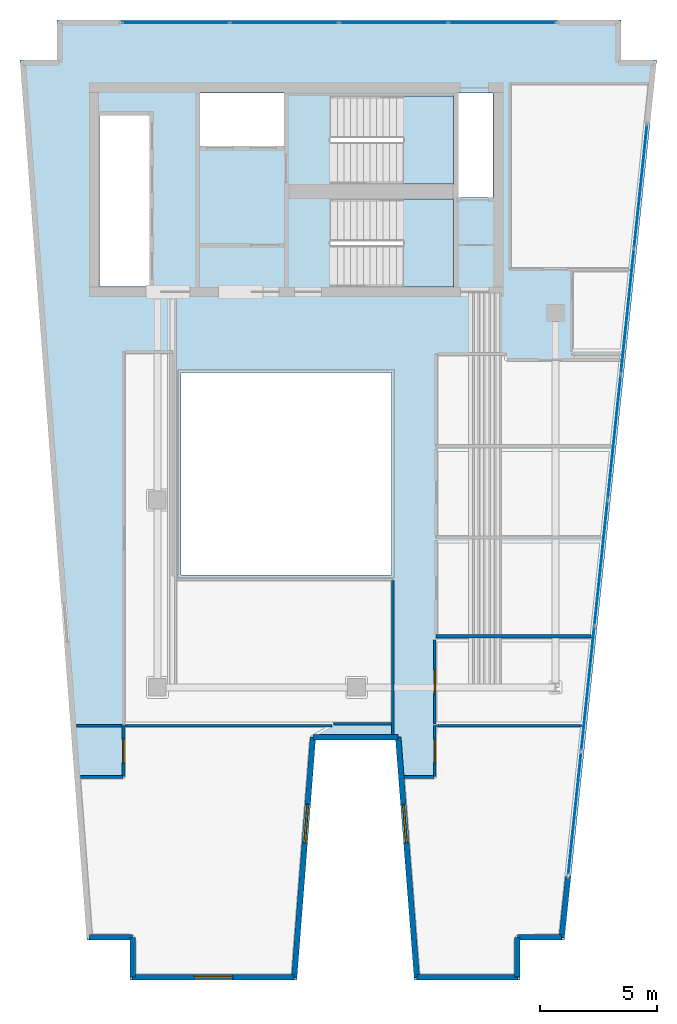
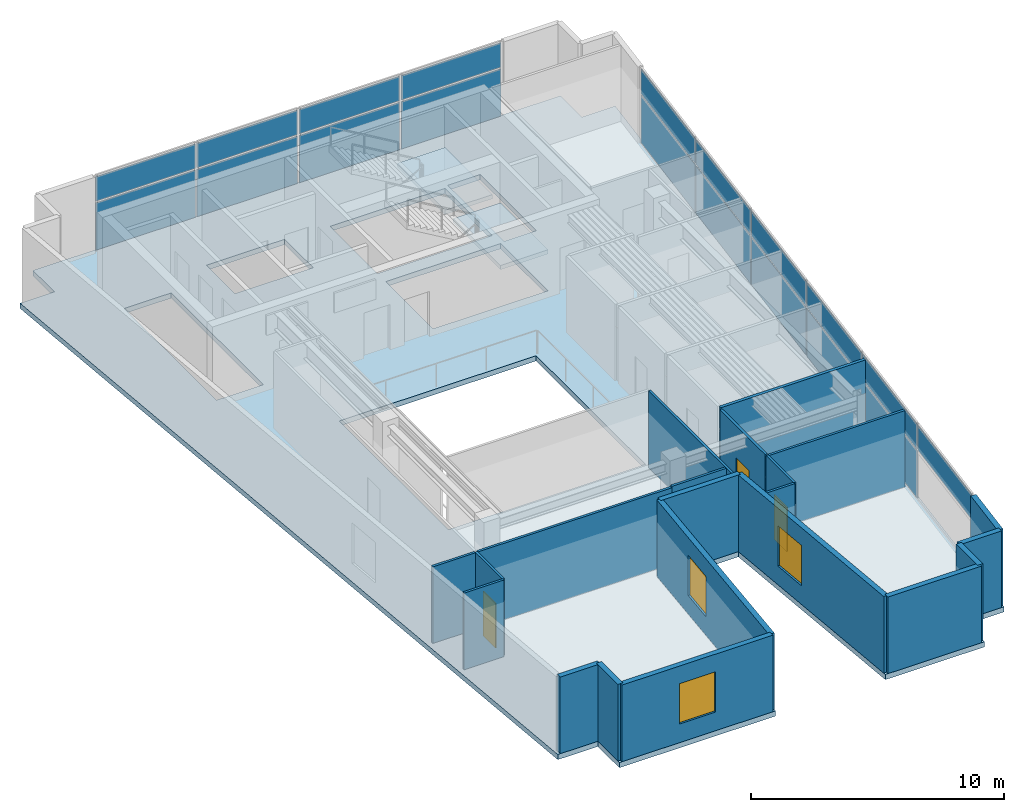
# One storey, part 2 of 6: 21 walls, 19 plates, 3 doors, 3 slabs, 3 windows, 6 openings, 4 elements without a shape of their own.
"""IFC4 building model written with IfcOpenShell, lengths in metres."""

from ifc_helpers import new_model, si_unit, direction, frame, frame_2d, origin, origin_2d, place, context, subcontext, project, spatial, polyline, rectangle, outline, extrude, material, layer, layer_set, type_object, element, fill, aggregate, save


model = new_model("IFC4")

# Units and contexts
model_context = context("Model", 3, precision=1e-05, world=origin(), true_north=direction((0.0, 1.0)))
body_context = subcontext(model_context, "Body", "Model", "MODEL_VIEW")
ifc_project = project(units=[si_unit("LENGTHUNIT", "METRE"), si_unit("AREAUNIT", "SQUARE_METRE"), si_unit("VOLUMEUNIT", "CUBIC_METRE"), si_unit("PLANEANGLEUNIT", "RADIAN"), si_unit("MASSUNIT", "GRAM", prefix="KILO")], contexts=[model_context])

# Site, building, storey
site_placement = place(None, origin())
site = spatial("IfcSite", under=ifc_project, at=site_placement, CompositionType="ELEMENT")
building_placement = place(site_placement, origin())
building = spatial("IfcBuilding", under=site, at=building_placement, Name="Caeloran Harvest Quay", CompositionType="ELEMENT")
storey_placement = place(building_placement, frame((0.0, 0.0, 284.35009765625)))
storey = spatial("IfcBuildingStorey", under=building, at=storey_placement, Name="L68", CompositionType="ELEMENT", Elevation=284.35009765625)

# Curtain wall, plates
ifc_material_1 = material(Name="Aluminium 6063-T6 and Low-E Glazing", Category="aluminium")
ifc_layer_1 = layer(ifc_material_1, 0.219970703125, Name="Aluminium 6063-T6 and Low-E Glazing")
ifc_layer_set_1 = layer_set([ifc_layer_1], Name="Aluminium 6063-T6 and Low-E Glazing")
curtain_wall_type = type_object("IfcCurtainWallType", Name="CW-SYS-CW-5", PredefinedType="USERDEFINED", material=ifc_layer_set_1)
curtain_wall_1_placement = place(storey_placement, origin())
curtain_wall_1 = element("IfcCurtainWall", 1, at=curtain_wall_1_placement, inside=storey, type_object=curtain_wall_type, Name="L68 Unitised Curtain Wall CW-5 Run 6", ObjectType="CURTAIN_WALL", PredefinedType="USERDEFINED")
ifc_material_2 = material(Name="Low-E Double Glazed Vision Glass Unit", Category="glass")
ifc_layer_2 = layer(ifc_material_2, 0.035888671875, Name="Low-E Double Glazed Vision Glass Unit")
ifc_layer_set_2 = layer_set([ifc_layer_2], Name="Low-E Double Glazed Vision Glass Unit")
plate_type = type_object("IfcPlateType", Name="CW-VISION-PANEL", PredefinedType="CURTAIN_PANEL", material=ifc_layer_set_2)
plate_1_placement = place(storey_placement, frame((9.2724609375, 43.3798828125, 0.080078125), z_axis=(0.0, 0.0, 1.0), x_axis=(1.0, 0.0, 0.0)))
plate_1 = element("IfcPlate", 2, at=plate_1_placement, type_object=plate_type, Name="CW-5 panel 1.1", PredefinedType="CURTAIN_PANEL", context=body_context, shape_type="SweptSolid", body=[
    extrude(rectangle(XDim=4.544921875, YDim=0.035888671875, at=origin_2d()), origin(), (0.0, 0.0, 1.0), 2.280029296875),
])
plate_2_placement = place(storey_placement, frame((9.2724609375, 43.3798828125, 2.43994140625), z_axis=(0.0, 0.0, 1.0), x_axis=(1.0, 0.0, 0.0)))
plate_2 = element("IfcPlate", 3, at=plate_2_placement, type_object=plate_type, Name="CW-5 panel 1.2", PredefinedType="CURTAIN_PANEL", context=body_context, shape_type="SweptSolid", body=[
    extrude(rectangle(XDim=4.544921875, YDim=0.035888671875, at=origin_2d()), origin(), (0.0, 0.0, 1.0), 1.179931640625),
])
plate_3_placement = place(storey_placement, frame((13.91748046875, 43.3798828125, 0.080078125), z_axis=(0.0, 0.0, 1.0), x_axis=(1.0, 0.0, 0.0)))
plate_3 = element("IfcPlate", 4, at=plate_3_placement, type_object=plate_type, Name="CW-5 panel 2.1", PredefinedType="CURTAIN_PANEL", context=body_context, shape_type="SweptSolid", body=[
    extrude(rectangle(XDim=4.5849609375, YDim=0.035888671875, at=origin_2d()), origin(), (0.0, 0.0, 1.0), 2.280029296875),
])
plate_4_placement = place(storey_placement, frame((13.91748046875, 43.3798828125, 2.43994140625), z_axis=(0.0, 0.0, 1.0), x_axis=(1.0, 0.0, 0.0)))
plate_4 = element("IfcPlate", 5, at=plate_4_placement, type_object=plate_type, Name="CW-5 panel 2.2", PredefinedType="CURTAIN_PANEL", context=body_context, shape_type="SweptSolid", body=[
    extrude(rectangle(XDim=4.5849609375, YDim=0.035888671875, at=origin_2d()), origin(), (0.0, 0.0, 1.0), 1.179931640625),
])
plate_5_placement = place(storey_placement, frame((18.58251953125, 43.3798828125, 0.080078125), z_axis=(0.0, 0.0, 1.0), x_axis=(1.0, 0.0, 0.0)))
plate_5 = element("IfcPlate", 6, at=plate_5_placement, type_object=plate_type, Name="CW-5 panel 3.1", PredefinedType="CURTAIN_PANEL", context=body_context, shape_type="SweptSolid", body=[
    extrude(rectangle(XDim=4.5849609375, YDim=0.035888671875, at=origin_2d()), origin(), (0.0, 0.0, 1.0), 2.280029296875),
])
plate_6_placement = place(storey_placement, frame((18.58251953125, 43.3798828125, 2.43994140625), z_axis=(0.0, 0.0, 1.0), x_axis=(1.0, 0.0, 0.0)))
plate_6 = element("IfcPlate", 7, at=plate_6_placement, type_object=plate_type, Name="CW-5 panel 3.2", PredefinedType="CURTAIN_PANEL", context=body_context, shape_type="SweptSolid", body=[
    extrude(rectangle(XDim=4.5849609375, YDim=0.035888671875, at=origin_2d()), origin(), (0.0, 0.0, 1.0), 1.179931640625),
])
plate_7_placement = place(storey_placement, frame((23.2275390625, 43.3798828125, 0.080078125), z_axis=(0.0, 0.0, 1.0), x_axis=(1.0, 0.0, 0.0)))
plate_7 = element("IfcPlate", 8, at=plate_7_placement, type_object=plate_type, Name="CW-5 panel 4.1", PredefinedType="CURTAIN_PANEL", context=body_context, shape_type="SweptSolid", body=[
    extrude(rectangle(XDim=4.544921875, YDim=0.035888671875, at=origin_2d()), origin(), (0.0, 0.0, 1.0), 2.280029296875),
])
plate_8_placement = place(storey_placement, frame((23.2275390625, 43.3798828125, 2.43994140625), z_axis=(0.0, 0.0, 1.0), x_axis=(1.0, 0.0, 0.0)))
plate_8 = element("IfcPlate", 9, at=plate_8_placement, type_object=plate_type, Name="CW-5 panel 4.2", PredefinedType="CURTAIN_PANEL", context=body_context, shape_type="SweptSolid", body=[
    extrude(rectangle(XDim=4.544921875, YDim=0.035888671875, at=origin_2d()), origin(), (0.0, 0.0, 1.0), 1.179931640625),
])
aggregate(curtain_wall_1, [plate_1, plate_2, plate_3, plate_4, plate_5, plate_6, plate_7, plate_8])

curtain_wall_2_placement = place(storey_placement, origin())
curtain_wall_2 = element("IfcCurtainWall", 10, at=curtain_wall_2_placement, inside=storey, type_object=curtain_wall_type, Name="L68 Unitised Curtain Wall CW-5 Run 9", ObjectType="CURTAIN_WALL", PredefinedType="USERDEFINED")
plate_9_placement = place(storey_placement, frame((29.132568359375, 36.391845703125, 0.080078125), z_axis=(0.0, 0.0, 1.0), x_axis=(-0.104460096251, -0.994529078655, 0.0)))
plate_9 = element("IfcPlate", 11, at=plate_9_placement, type_object=plate_type, Name="CW-5 panel 1.1", PredefinedType="CURTAIN_PANEL", context=body_context, shape_type="SweptSolid", body=[
    extrude(rectangle(XDim=5.274169921875, YDim=0.035888671875, at=origin_2d()), origin(), (0.0, 0.0, 1.0), 2.280029296875),
])
plate_10_placement = place(storey_placement, frame((29.132568359375, 36.391845703125, 2.43994140625), z_axis=(0.0, 0.0, 1.0), x_axis=(-0.104460096251, -0.994529078655, 0.0)))
plate_10 = element("IfcPlate", 12, at=plate_10_placement, type_object=plate_type, Name="CW-5 panel 1.2", PredefinedType="CURTAIN_PANEL", context=body_context, shape_type="SweptSolid", body=[
    extrude(rectangle(XDim=5.274169921875, YDim=0.035888671875, at=origin_2d()), origin(), (0.0, 0.0, 1.0), 1.179931640625),
])
plate_11_placement = place(storey_placement, frame((28.5712890625, 31.047119140625, 0.080078125), z_axis=(0.0, 0.0, 1.0), x_axis=(-0.104460096251, -0.994529078655, 0.0)))
plate_11 = element("IfcPlate", 13, at=plate_11_placement, type_object=plate_type, Name="CW-5 panel 2.1", PredefinedType="CURTAIN_PANEL", context=body_context, shape_type="SweptSolid", body=[
    extrude(rectangle(XDim=5.314208984375, YDim=0.035888671875, at=origin_2d()), origin(), (0.0, 0.0, 1.0), 2.280029296875),
])
plate_12_placement = place(storey_placement, frame((28.5712890625, 31.047119140625, 2.43994140625), z_axis=(0.0, 0.0, 1.0), x_axis=(-0.104460096251, -0.994529078655, 0.0)))
plate_12 = element("IfcPlate", 14, at=plate_12_placement, type_object=plate_type, Name="CW-5 panel 2.2", PredefinedType="CURTAIN_PANEL", context=body_context, shape_type="SweptSolid", body=[
    extrude(rectangle(XDim=5.314208984375, YDim=0.035888671875, at=origin_2d()), origin(), (0.0, 0.0, 1.0), 1.179931640625),
])
plate_13_placement = place(storey_placement, frame((28.0078125, 25.682373046875, 0.080078125), z_axis=(0.0, 0.0, 1.0), x_axis=(-0.104460096251, -0.994529078655, 0.0)))
plate_13 = element("IfcPlate", 15, at=plate_13_placement, type_object=plate_type, Name="CW-5 panel 3.1", PredefinedType="CURTAIN_PANEL", context=body_context, shape_type="SweptSolid", body=[
    extrude(rectangle(XDim=5.314208984375, YDim=0.035888671875, at=origin_2d()), origin(), (0.0, 0.0, 1.0), 2.280029296875),
])
plate_14_placement = place(storey_placement, frame((28.0078125, 25.682373046875, 2.43994140625), z_axis=(0.0, 0.0, 1.0), x_axis=(-0.104460096251, -0.994529078655, 0.0)))
plate_14 = element("IfcPlate", 16, at=plate_14_placement, type_object=plate_type, Name="CW-5 panel 3.2", PredefinedType="CURTAIN_PANEL", context=body_context, shape_type="SweptSolid", body=[
    extrude(rectangle(XDim=5.314208984375, YDim=0.035888671875, at=origin_2d()), origin(), (0.0, 0.0, 1.0), 1.179931640625),
])
plate_15_placement = place(storey_placement, frame((27.4443359375, 20.317626953125, 0.080078125), z_axis=(0.0, 0.0, 1.0), x_axis=(-0.104460096251, -0.994529078655, 0.0)))
plate_15 = element("IfcPlate", 17, at=plate_15_placement, type_object=plate_type, Name="CW-5 panel 4.1", PredefinedType="CURTAIN_PANEL", context=body_context, shape_type="SweptSolid", body=[
    extrude(rectangle(XDim=5.314208984375, YDim=0.035888671875, at=origin_2d()), origin(), (0.0, 0.0, 1.0), 2.280029296875),
])
plate_16_placement = place(storey_placement, frame((27.4443359375, 20.317626953125, 2.43994140625), z_axis=(0.0, 0.0, 1.0), x_axis=(-0.104460096251, -0.994529078655, 0.0)))
plate_16 = element("IfcPlate", 18, at=plate_16_placement, type_object=plate_type, Name="CW-5 panel 4.2", PredefinedType="CURTAIN_PANEL", context=body_context, shape_type="SweptSolid", body=[
    extrude(rectangle(XDim=5.314208984375, YDim=0.035888671875, at=origin_2d()), origin(), (0.0, 0.0, 1.0), 1.179931640625),
])
plate_17_placement = place(storey_placement, frame((26.880859375, 14.952880859375, 0.080078125), z_axis=(0.0, 0.0, 1.0), x_axis=(-0.104460096251, -0.994529078655, 0.0)))
plate_17 = element("IfcPlate", 19, at=plate_17_placement, type_object=plate_type, Name="CW-5 panel 5.1", PredefinedType="CURTAIN_PANEL", context=body_context, shape_type="SweptSolid", body=[
    extrude(rectangle(XDim=5.314208984375, YDim=0.035888671875, at=origin_2d()), origin(), (0.0, 0.0, 1.0), 2.280029296875),
])
plate_18_placement = place(storey_placement, frame((26.880859375, 14.952880859375, 2.43994140625), z_axis=(0.0, 0.0, 1.0), x_axis=(-0.104460096251, -0.994529078655, 0.0)))
plate_18 = element("IfcPlate", 20, at=plate_18_placement, type_object=plate_type, Name="CW-5 panel 5.2", PredefinedType="CURTAIN_PANEL", context=body_context, shape_type="SweptSolid", body=[
    extrude(rectangle(XDim=5.314208984375, YDim=0.035888671875, at=origin_2d()), origin(), (0.0, 0.0, 1.0), 1.179931640625),
])
plate_19_placement = place(storey_placement, frame((26.3193359375, 9.608154296875, 2.43994140625), z_axis=(0.0, 0.0, 1.0), x_axis=(-0.104460096251, -0.994529078655, 0.0)))
plate_19 = element("IfcPlate", 21, at=plate_19_placement, type_object=plate_type, Name="CW-5 panel 6.2", PredefinedType="CURTAIN_PANEL", context=body_context, shape_type="SweptSolid", body=[
    extrude(rectangle(XDim=5.274169921875, YDim=0.035888671875, at=origin_2d()), origin(), (0.0, 0.0, 1.0), 1.179931640625),
])
aggregate(curtain_wall_2, [plate_9, plate_10, plate_11, plate_12, plate_13, plate_14, plate_15, plate_16, plate_17, plate_18, plate_19])

# Slab
ifc_material_3 = material(Name="Concrete C50/60", Category="concrete")
ifc_layer_3 = layer(ifc_material_3, 0.25, Name="Concrete C50/60")
ifc_layer_set_3 = layer_set([ifc_layer_3], Name="Concrete C50/60")
slab_type_1 = type_object("IfcSlabType", Name="SLAB-FS-250", PredefinedType="FLOOR", material=ifc_layer_set_3)
slab_1_placement = place(storey_placement, frame((0.0, 0.0, -0.25)))
element("IfcSlab", 22, at=slab_1_placement, inside=storey, type_object=slab_type_1, Name="L68 Structural Floor Slab", PredefinedType="FLOOR", context=body_context, shape_type="SweptSolid", body=[
    extrude(outline(polyline([(7.318603515625, 2.5), (14.451416015625, 2.5), (15.25146484375, 12.75), (18.670166015625, 12.75), (19.47021484375, 2.5), (23.993408203125, 2.5), (23.993408203125, 4.199951171875), (25.8720703125, 4.199951171875), (29.8212890625, 41.800048828125), (28.300048828125, 41.800048828125), (28.300048828125, 43.5), (4.199951171875, 43.5), (4.199951171875, 41.800048828125), (2.62939453125, 41.800048828125), (5.4892578125, 4.199951171875), (7.318603515625, 4.199951171875), (7.318603515625, 2.5)]), holes=[polyline([(18.5, 28.449951171875), (18.5, 19.800048828125), (9.5, 19.800048828125), (9.5, 28.449951171875), (18.5, 28.449951171875)]), polyline([(15.89990234375, 32.10009765625), (15.89990234375, 35.85009765625), (21.14990234375, 35.85009765625), (21.14990234375, 32.10009765625), (15.89990234375, 32.10009765625)]), polyline([(8.159912109375, 32.1201171875), (6.02001953125, 32.1201171875), (6.02001953125, 39.419921875), (8.159912109375, 39.419921875), (8.159912109375, 32.1201171875)]), polyline([(22.830078125, 40.3798828125), (22.830078125, 35.919921875), (21.35009765625, 35.919921875), (21.35009765625, 40.3798828125), (22.830078125, 40.3798828125)]), polyline([(15.89990234375, 36.5), (15.89990234375, 40.25), (21.14990234375, 40.25), (21.14990234375, 36.5), (15.89990234375, 36.5)]), polyline([(13.89990234375, 38.1201171875), (10.320068359375, 38.1201171875), (10.320068359375, 40.3798828125), (13.89990234375, 40.3798828125), (13.89990234375, 38.1201171875)])]), origin(), (0.0, 0.0, 1.0), 0.25),
])

# Stair, slab
stair_type = type_object("IfcStairType", Name="STAIR-STC-180", PredefinedType="HALF_TURN_STAIR", material=ifc_material_3)
stair_1_placement = place(storey_placement, origin())
stair_1 = element("IfcStair", 23, at=stair_1_placement, inside=storey, type_object=stair_type, Name="L68 Core Pressurized Exit Stair ST-C1", PredefinedType="HALF_TURN_STAIR")
ifc_layer_4 = layer(ifc_material_3, 0.219970703125, Name="Concrete C50/60")
ifc_layer_set_4 = layer_set([ifc_layer_4], Name="Concrete C50/60")
slab_type_2 = type_object("IfcSlabType", Name="STAIR-LANDING-220", PredefinedType="LANDING", material=ifc_layer_set_4)
slab_2_placement = place(storey_placement, frame((0.0, 0.0, 1.77490234375)))
slab_2 = element("IfcSlab", 24, at=slab_2_placement, type_object=slab_type_2, Name="ST-C1 landing 1", PredefinedType="LANDING", context=body_context, shape_type="SweptSolid", body=[
    extrude(outline(polyline([(18.97998046875, 36.5), (21.14990234375, 36.5), (21.14990234375, 40.25), (18.97998046875, 40.25), (18.97998046875, 36.5)])), origin(), (0.0, 0.0, 1.0), 0.199951171875),
])
aggregate(stair_1, [slab_2])

stair_2_placement = place(storey_placement, origin())
stair_2 = element("IfcStair", 25, at=stair_2_placement, inside=storey, type_object=stair_type, Name="L68 Core Pressurized Exit Stair ST-C2", PredefinedType="HALF_TURN_STAIR")
slab_3_placement = place(storey_placement, frame((0.0, 0.0, 1.77490234375)))
slab_3 = element("IfcSlab", 26, at=slab_3_placement, type_object=slab_type_2, Name="ST-C2 landing 1", PredefinedType="LANDING", context=body_context, shape_type="SweptSolid", body=[
    extrude(outline(polyline([(18.97998046875, 32.10009765625), (21.14990234375, 32.10009765625), (21.14990234375, 35.85009765625), (18.97998046875, 35.85009765625), (18.97998046875, 32.10009765625)])), origin(), (0.0, 0.0, 1.0), 0.199951171875),
])
aggregate(stair_2, [slab_3])

# Walls
ifc_material_4 = material(Name="Precast concrete C50/60", Category="concrete")
ifc_layer_5 = layer(ifc_material_4, 0.239990234375, Name="Precast concrete C50/60")
ifc_layer_set_5 = layer_set([ifc_layer_5], Name="Precast concrete C50/60")
wall_type_1 = type_object("IfcWallType", Name="ENV-WALL-EW-240", PredefinedType="STANDARD", material=ifc_layer_set_5)
wall_1_placement = place(storey_placement, frame((7.4384765625, 2.6201171875, 0.0), z_axis=(0.0, 0.0, 1.0), x_axis=(0.0, 1.0, 0.0)))
element("IfcWall", 27, at=wall_1_placement, inside=storey, type_object=wall_type_1, Name="L68 Exterior Precast Concrete Facade Wall 1", PredefinedType="STANDARD", context=body_context, shape_type="SweptSolid", body=[
    extrude(rectangle(XDim=1.699951171875, YDim=0.239990234375, at=frame_2d((0.85009765625, 0.0))), origin(), (0.0, 0.0, 1.0), 3.699951171875),
])
wall_2_placement = place(storey_placement, frame((7.4384765625, 4.320068359375, 0.0), z_axis=(0.0, 0.0, 1.0), x_axis=(-1.0, 0.0, 0.0)))
element("IfcWall", 28, at=wall_2_placement, inside=storey, type_object=wall_type_1, Name="L68 Exterior Precast Concrete Facade Wall 2", PredefinedType="STANDARD", context=body_context, shape_type="SweptSolid", body=[
    extrude(rectangle(XDim=1.838134765625, YDim=0.239990234375, at=frame_2d((0.9189453125, 0.0))), origin(), (0.0, 0.0, 1.0), 3.699951171875),
])
wall_3_placement = place(storey_placement, frame((26.03564453125, 6.90576171875, 0.0), z_axis=(0.0, 0.0, 1.0), x_axis=(-0.104513699976, -0.994523446942, 0.0)))
element("IfcWall", 29, at=wall_3_placement, inside=storey, type_object=wall_type_1, Name="L68 Exterior Facade Corner Pier Wall 9B", PredefinedType="STANDARD", context=body_context, shape_type="SweptSolid", body=[
    extrude(rectangle(XDim=2.599853515625, YDim=0.239990234375, at=frame_2d((1.2998046875, 0.0))), origin(), (0.0, 0.0, 1.0), 3.699951171875),
])
wall_4_placement = place(storey_placement, frame((25.763916015625, 4.320068359375, 0.0), z_axis=(0.0, 0.0, 1.0), x_axis=(-1.0, 0.0, 0.0)))
element("IfcWall", 30, at=wall_4_placement, inside=storey, type_object=wall_type_1, Name="L68 Exterior Precast Concrete Facade Wall 10", PredefinedType="STANDARD", context=body_context, shape_type="SweptSolid", body=[
    extrude(rectangle(XDim=1.890380859375, YDim=0.239990234375, at=frame_2d((0.9453125, 0.0))), origin(), (0.0, 0.0, 1.0), 3.699951171875),
])
wall_5_placement = place(storey_placement, frame((23.87353515625, 4.320068359375, 0.0), z_axis=(0.0, 0.0, 1.0), x_axis=(0.0, -1.0, 0.0)))
element("IfcWall", 31, at=wall_5_placement, inside=storey, type_object=wall_type_1, Name="L68 Exterior Precast Concrete Facade Wall 11", PredefinedType="STANDARD", context=body_context, shape_type="SweptSolid", body=[
    extrude(rectangle(XDim=1.699951171875, YDim=0.239990234375, at=frame_2d((0.85009765625, 0.0))), origin(), (0.0, 0.0, 1.0), 3.699951171875),
])
wall_6_placement = place(storey_placement, frame((23.87353515625, 2.6201171875, 0.0), z_axis=(0.0, 0.0, 1.0), x_axis=(-1.0, 0.0, 0.0)))
element("IfcWall", 32, at=wall_6_placement, inside=storey, type_object=wall_type_1, Name="L68 Exterior Precast Concrete Facade Wall 12", PredefinedType="STANDARD", context=body_context, shape_type="SweptSolid", body=[
    extrude(rectangle(XDim=4.292236328125, YDim=0.239990234375, at=frame_2d((2.14599609375, 0.0))), origin(), (0.0, 0.0, 1.0), 3.699951171875),
])

# Wall, opening, window
wall_7_placement = place(storey_placement, frame((19.581298828125, 2.6201171875, 0.0), z_axis=(0.0, 0.0, 1.0), x_axis=(-0.077816860153, 0.996967670627, 0.0)))
wall_7 = element("IfcWall", 33, at=wall_7_placement, inside=storey, type_object=wall_type_1, Name="L68 Exterior Precast Concrete Facade Wall 13", PredefinedType="STANDARD", context=body_context, shape_type="SweptSolid", body=[
    extrude(rectangle(XDim=10.28125, YDim=0.239990234375, at=frame_2d((5.140625, 0.0))), origin(), (0.0, 0.0, 1.0), 3.699951171875),
])
opening_1_placement = place(wall_7_placement, frame((5.7548828125, 0.0, 0.89990234375)))
opening_1 = element("IfcOpeningElement", 34, at=opening_1_placement, cuts=wall_7, Name="Opening W-08", PredefinedType="OPENING", context=body_context, shape_type="SweptSolid", body=[
    extrude(rectangle(XDim=1.64990234375, YDim=1.949951171875, at=frame_2d((0.824951171875, 0.97509765625))), frame((0.0, 0.1298828125, 0.0), z_axis=(0.0, -1.0, 0.0), x_axis=(1.0, 0.0, 0.0)), (0.0, 0.0, 1.0), 0.260009765625),
])
ifc_material_5 = material(Name="Aluminium-Framed Low-E Laminated Glass", Category="aluminium")
window_type = type_object("IfcWindowType", Name="WIN-W-08", PartitioningType="SINGLE_PANEL", PredefinedType="WINDOW", material=ifc_material_5)
window_1_placement = place(opening_1_placement, origin())
window_1 = element("IfcWindow", 35, at=window_1_placement, inside=storey, type_object=window_type, Name="L68 Facade Punched Window W-08", OverallHeight=1.949951171875, OverallWidth=1.64990234375, PartitioningType="SINGLE_PANEL", PredefinedType="WINDOW", context=body_context, shape_type="SweptSolid", body=[
    extrude(rectangle(XDim=1.64990234375, YDim=1.949951171875, at=frame_2d((0.824951171875, 0.97509765625))), frame((0.0, 0.030029296875, 0.0), z_axis=(0.0, -1.0, 0.0), x_axis=(1.0, 0.0, 0.0)), (0.0, 0.0, 1.0), 0.06005859375),
])
fill(opening_1, window_1)

# Wall
wall_8_placement = place(storey_placement, frame((18.78125, 12.8701171875, 0.0), z_axis=(0.0, 0.0, 1.0), x_axis=(-1.0, 0.0, 0.0)))
element("IfcWall", 36, at=wall_8_placement, inside=storey, type_object=wall_type_1, Name="L68 Exterior Precast Concrete Facade Wall 14", PredefinedType="STANDARD", context=body_context, shape_type="SweptSolid", body=[
    extrude(rectangle(XDim=3.640869140625, YDim=0.239990234375, at=frame_2d((1.8203125, 0.0))), origin(), (0.0, 0.0, 1.0), 3.699951171875),
])

# Wall, opening, window
wall_9_placement = place(storey_placement, frame((15.140380859375, 12.8701171875, 0.0), z_axis=(0.0, 0.0, 1.0), x_axis=(-0.077793257511, -0.996969512616, 0.0)))
wall_9 = element("IfcWall", 37, at=wall_9_placement, inside=storey, type_object=wall_type_1, Name="L68 Exterior Precast Concrete Facade Wall 15", PredefinedType="STANDARD", context=body_context, shape_type="SweptSolid", body=[
    extrude(rectangle(XDim=10.28125, YDim=0.239990234375, at=frame_2d((5.140625, 0.0))), origin(), (0.0, 0.0, 1.0), 3.699951171875),
])
opening_2_placement = place(wall_9_placement, frame((2.8759765625, 0.0, 0.89990234375)))
opening_2 = element("IfcOpeningElement", 38, at=opening_2_placement, cuts=wall_9, Name="Opening W-08", PredefinedType="OPENING", context=body_context, shape_type="SweptSolid", body=[
    extrude(rectangle(XDim=1.64990234375, YDim=1.949951171875, at=frame_2d((0.824951171875, 0.97509765625))), frame((0.0, 0.1298828125, 0.0), z_axis=(0.0, -1.0, 0.0), x_axis=(1.0, 0.0, 0.0)), (0.0, 0.0, 1.0), 0.260009765625),
])
window_2_placement = place(opening_2_placement, origin())
window_2 = element("IfcWindow", 39, at=window_2_placement, inside=storey, type_object=window_type, Name="L68 Facade Punched Window W-08", OverallHeight=1.949951171875, OverallWidth=1.64990234375, PartitioningType="SINGLE_PANEL", PredefinedType="WINDOW", context=body_context, shape_type="SweptSolid", body=[
    extrude(rectangle(XDim=1.64990234375, YDim=1.949951171875, at=frame_2d((0.824951171875, 0.97509765625))), frame((0.0, 0.030029296875, 0.0), z_axis=(0.0, -1.0, 0.0), x_axis=(1.0, 0.0, 0.0)), (0.0, 0.0, 1.0), 0.06005859375),
])
fill(opening_2, window_2)

wall_10_placement = place(storey_placement, frame((14.340576171875, 2.6201171875, 0.0), z_axis=(0.0, 0.0, 1.0), x_axis=(-1.0, 0.0, 0.0)))
wall_10 = element("IfcWall", 40, at=wall_10_placement, inside=storey, type_object=wall_type_1, Name="L68 Exterior Precast Concrete Facade Wall 16", PredefinedType="STANDARD", context=body_context, shape_type="SweptSolid", body=[
    extrude(rectangle(XDim=6.902099609375, YDim=0.239990234375, at=frame_2d((3.451171875, 0.0))), origin(), (0.0, 0.0, 1.0), 3.699951171875),
])
opening_3_placement = place(wall_10_placement, frame((2.6259765625, 0.0, 0.89990234375)))
opening_3 = element("IfcOpeningElement", 41, at=opening_3_placement, cuts=wall_10, Name="Opening W-08", PredefinedType="OPENING", context=body_context, shape_type="SweptSolid", body=[
    extrude(rectangle(XDim=1.64990234375, YDim=1.949951171875, at=frame_2d((0.824951171875, 0.97509765625))), frame((0.0, 0.1298828125, 0.0), z_axis=(0.0, -1.0, 0.0), x_axis=(1.0, 0.0, 0.0)), (0.0, 0.0, 1.0), 0.260009765625),
])
window_3_placement = place(opening_3_placement, origin())
window_3 = element("IfcWindow", 42, at=window_3_placement, inside=storey, type_object=window_type, Name="L68 Facade Punched Window W-08", OverallHeight=1.949951171875, OverallWidth=1.64990234375, PartitioningType="SINGLE_PANEL", PredefinedType="WINDOW", context=body_context, shape_type="SweptSolid", body=[
    extrude(rectangle(XDim=1.64990234375, YDim=1.949951171875, at=frame_2d((0.824951171875, 0.97509765625))), frame((0.0, 0.030029296875, 0.0), z_axis=(0.0, -1.0, 0.0), x_axis=(1.0, 0.0, 0.0)), (0.0, 0.0, 1.0), 0.06005859375),
])
fill(opening_3, window_3)

# Wall
ifc_material_6 = material(Name="Single-Stud Acoustic Gypsum Office Partition", Category="gypsum")
ifc_layer_6 = layer(ifc_material_6, 0.112060546875, Name="Single-Stud Acoustic Gypsum Office Partition")
ifc_layer_set_6 = layer_set([ifc_layer_6], Name="Single-Stud Acoustic Gypsum Office Partition")
wall_type_2 = type_object("IfcWallType", Name="INT-WALL-PW-112", PredefinedType="PARTITIONING", material=ifc_layer_set_6)
wall_11_placement = place(storey_placement, frame((5.204833984375, 11.169921875, 0.0), z_axis=(0.0, 0.0, 1.0), x_axis=(1.0, 0.0, 0.0)))
element("IfcWall", 43, at=wall_11_placement, inside=storey, type_object=wall_type_2, Name="Executive Sky-Floor Office Partition Wall", PredefinedType="PARTITIONING", context=body_context, shape_type="SweptSolid", body=[
    extrude(rectangle(XDim=1.815185546875, YDim=0.112060546875, at=frame_2d((0.90771484375, 0.0))), origin(), (0.0, 0.0, 1.0), 3.699951171875),
])

# Wall, opening, door
wall_12_placement = place(storey_placement, frame((7.050048828125, 11.199951171875, 0.0), z_axis=(0.0, 0.0, 1.0), x_axis=(0.0, 1.0, 0.0)))
wall_12 = element("IfcWall", 44, at=wall_12_placement, inside=storey, type_object=wall_type_2, Name="Executive Sky-Floor Office Partition Wall", PredefinedType="PARTITIONING", context=body_context, shape_type="SweptSolid", body=[
    extrude(rectangle(XDim=2.16015625, YDim=0.112060546875, at=frame_2d((1.080078125, 0.0))), origin(), (0.0, 0.0, 1.0), 3.699951171875),
])
opening_4_placement = place(wall_12_placement, frame((0.580078125, 0.0, 0.0)))
opening_4 = element("IfcOpeningElement", 45, at=opening_4_placement, cuts=wall_12, Name="Opening ID-01", PredefinedType="OPENING", context=body_context, shape_type="SweptSolid", body=[
    extrude(rectangle(XDim=1.0, YDim=2.14990234375, at=frame_2d((0.5, 1.074951171875))), frame((0.0, 0.06591796875, 0.0), z_axis=(0.0, -1.0, 0.0), x_axis=(1.0, 0.0, 0.0)), (0.0, 0.0, 1.0), 0.132080078125),
])
ifc_material_7 = material(Name="FSC Solid-Core Ash Timber and Acoustic Seal", Category="wood")
door_type = type_object("IfcDoorType", Name="INTDOOR-ID-01", OperationType="NOTDEFINED", PredefinedType="DOOR", material=ifc_material_7)
door_1_placement = place(opening_4_placement, origin())
door_1 = element("IfcDoor", 46, at=door_1_placement, inside=storey, type_object=door_type, Name="Executive Sky-Floor Office Access Door", OperationType="SINGLE_SWING_LEFT", OverallHeight=2.14990234375, OverallWidth=1.0, PredefinedType="DOOR", context=body_context, shape_type="SweptSolid", body=[
    extrude(rectangle(XDim=1.0, YDim=2.14990234375, at=frame_2d((0.5, 1.074951171875))), frame((0.0, 0.02490234375, 0.0), z_axis=(0.0, -1.0, 0.0), x_axis=(1.0, 0.0, 0.0)), (0.0, 0.0, 1.0), 0.050048828125),
])
fill(opening_4, door_1)

# Walls
wall_13_placement = place(storey_placement, frame((5.0380859375, 13.360107421875, 0.0), z_axis=(0.0, 0.0, 1.0), x_axis=(1.0, 0.0, 0.0)))
element("IfcWall", 47, at=wall_13_placement, inside=storey, type_object=wall_type_2, Name="Executive Sky-Floor Office Partition Wall", PredefinedType="PARTITIONING", context=body_context, shape_type="SweptSolid", body=[
    extrude(rectangle(XDim=1.950927734375, YDim=0.112060546875, at=frame_2d((0.9755859375, 0.0))), origin(), (0.0, 0.0, 1.0), 3.699951171875),
])
wall_14_placement = place(storey_placement, frame((7.111083984375, 13.360107421875, 0.0), z_axis=(0.0, 0.0, 1.0), x_axis=(1.0, 0.0, 0.0)))
element("IfcWall", 48, at=wall_14_placement, inside=storey, type_object=wall_type_2, Name="Executive Sky-Floor Office Partition Wall", PredefinedType="PARTITIONING", context=body_context, shape_type="SweptSolid", body=[
    extrude(rectangle(XDim=8.8408203125, YDim=0.112060546875, at=frame_2d((4.42041015625, 0.0))), origin(), (0.0, 0.0, 1.0), 3.699951171875),
])
wall_15_placement = place(storey_placement, frame((19.039306640625, 11.169921875, 0.0), z_axis=(0.0, 0.0, 1.0), x_axis=(1.0, 0.0, 0.0)))
element("IfcWall", 49, at=wall_15_placement, inside=storey, type_object=wall_type_2, Name="Strategic Foresight Laboratory Partition Wall", PredefinedType="PARTITIONING", context=body_context, shape_type="SweptSolid", body=[
    extrude(rectangle(XDim=1.28076171875, YDim=0.112060546875, at=frame_2d((0.640380859375, 0.0))), origin(), (0.0, 0.0, 1.0), 3.699951171875),
])

# Wall, opening, door
wall_16_placement = place(storey_placement, frame((20.35009765625, 11.199951171875, 0.0), z_axis=(0.0, 0.0, 1.0), x_axis=(0.0, 1.0, 0.0)))
wall_16 = element("IfcWall", 50, at=wall_16_placement, inside=storey, type_object=wall_type_2, Name="Strategic Foresight Laboratory Partition Wall", PredefinedType="PARTITIONING", context=body_context, shape_type="SweptSolid", body=[
    extrude(rectangle(XDim=2.16015625, YDim=0.112060546875, at=frame_2d((1.080078125, 0.0))), origin(), (0.0, 0.0, 1.0), 3.699951171875),
])
opening_5_placement = place(wall_16_placement, frame((0.580078125, 0.0, 0.0)))
opening_5 = element("IfcOpeningElement", 51, at=opening_5_placement, cuts=wall_16, Name="Opening ID-01", PredefinedType="OPENING", context=body_context, shape_type="SweptSolid", body=[
    extrude(rectangle(XDim=1.0, YDim=2.14990234375, at=frame_2d((0.5, 1.074951171875))), frame((0.0, 0.06591796875, 0.0), z_axis=(0.0, -1.0, 0.0), x_axis=(1.0, 0.0, 0.0)), (0.0, 0.0, 1.0), 0.132080078125),
])
door_2_placement = place(opening_5_placement, origin())
door_2 = element("IfcDoor", 52, at=door_2_placement, inside=storey, type_object=door_type, Name="Strategic Foresight Laboratory Access Door", OperationType="SINGLE_SWING_RIGHT", OverallHeight=2.14990234375, OverallWidth=1.0, PredefinedType="DOOR", context=body_context, shape_type="SweptSolid", body=[
    extrude(rectangle(XDim=1.0, YDim=2.14990234375, at=frame_2d((0.5, 1.074951171875))), frame((0.0, 0.02490234375, 0.0), z_axis=(0.0, -1.0, 0.0), x_axis=(1.0, 0.0, 0.0)), (0.0, 0.0, 1.0), 0.050048828125),
])
fill(opening_5, door_2)

# Wall
wall_17_placement = place(storey_placement, frame((20.410888671875, 13.360107421875, 0.0), z_axis=(0.0, 0.0, 1.0), x_axis=(1.0, 0.0, 0.0)))
element("IfcWall", 53, at=wall_17_placement, inside=storey, type_object=wall_type_2, Name="Strategic Foresight Laboratory Partition Wall", PredefinedType="PARTITIONING", context=body_context, shape_type="SweptSolid", body=[
    extrude(rectangle(XDim=6.197021484375, YDim=0.112060546875, at=frame_2d((3.0986328125, 0.0))), origin(), (0.0, 0.0, 1.0), 3.699951171875),
])

# Wall, opening, door
wall_18_placement = place(storey_placement, frame((20.35009765625, 13.43994140625, 0.0), z_axis=(0.0, 0.0, 1.0), x_axis=(0.0, 1.0, 0.0)))
wall_18 = element("IfcWall", 54, at=wall_18_placement, inside=storey, type_object=wall_type_2, Name="Chairman Corner Office Partition Wall", PredefinedType="PARTITIONING", context=body_context, shape_type="SweptSolid", body=[
    extrude(rectangle(XDim=3.580078125, YDim=0.112060546875, at=frame_2d((1.7900390625, 0.0))), origin(), (0.0, 0.0, 1.0), 3.699951171875),
])
opening_6_placement = place(wall_18_placement, frame((1.2900390625, 0.0, 0.0)))
opening_6 = element("IfcOpeningElement", 55, at=opening_6_placement, cuts=wall_18, Name="Opening ID-01", PredefinedType="OPENING", context=body_context, shape_type="SweptSolid", body=[
    extrude(rectangle(XDim=1.0, YDim=2.14990234375, at=frame_2d((0.5, 1.074951171875))), frame((0.0, 0.06591796875, 0.0), z_axis=(0.0, -1.0, 0.0), x_axis=(1.0, 0.0, 0.0)), (0.0, 0.0, 1.0), 0.132080078125),
])
door_3_placement = place(opening_6_placement, origin())
door_3 = element("IfcDoor", 56, at=door_3_placement, inside=storey, type_object=door_type, Name="Chairman Corner Office Access Door", OperationType="SINGLE_SWING_LEFT", OverallHeight=2.14990234375, OverallWidth=1.0, PredefinedType="DOOR", context=body_context, shape_type="SweptSolid", body=[
    extrude(rectangle(XDim=1.0, YDim=2.14990234375, at=frame_2d((0.5, 1.074951171875))), frame((0.0, 0.02490234375, 0.0), z_axis=(0.0, -1.0, 0.0), x_axis=(1.0, 0.0, 0.0)), (0.0, 0.0, 1.0), 0.050048828125),
])
fill(opening_6, door_3)

# Walls
wall_19_placement = place(storey_placement, frame((18.550048828125, 19.55908203125, 0.0), z_axis=(0.0, 0.0, 1.0), x_axis=(0.0, -1.0, 0.0)))
element("IfcWall", 57, at=wall_19_placement, inside=storey, type_object=wall_type_2, Name="Managing Principal Office Partition Wall", PredefinedType="PARTITIONING", context=body_context, shape_type="SweptSolid", body=[
    extrude(rectangle(XDim=6.56396484375, YDim=0.112060546875, at=frame_2d((3.281982421875, 0.0))), origin(), (0.0, 0.0, 1.0), 3.699951171875),
])
wall_20_placement = place(storey_placement, frame((18.489013671875, 13.43994140625, 0.0), z_axis=(0.0, 0.0, 1.0), x_axis=(-1.0, 0.0, 0.0)))
element("IfcWall", 58, at=wall_20_placement, inside=storey, type_object=wall_type_2, Name="Managing Principal Office Partition Wall", PredefinedType="PARTITIONING", context=body_context, shape_type="SweptSolid", body=[
    extrude(rectangle(XDim=2.4736328125, YDim=0.112060546875, at=frame_2d((1.23681640625, 0.0))), origin(), (0.0, 0.0, 1.0), 3.699951171875),
])
ifc_material_8 = material(Name="Moisture-Resistant Cement-Board Sanitary Partition", Category="gypsum")
ifc_layer_7 = layer(ifc_material_8, 0.139892578125, Name="Moisture-Resistant Cement-Board Sanitary Partition")
ifc_layer_set_7 = layer_set([ifc_layer_7], Name="Moisture-Resistant Cement-Board Sanitary Partition")
wall_type_3 = type_object("IfcWallType", Name="INT-WALL-PW-140", PredefinedType="PARTITIONING", material=ifc_layer_set_7)
wall_21_placement = place(storey_placement, frame((27.00927734375, 17.179931640625, 0.0), z_axis=(0.0, 0.0, 1.0), x_axis=(-1.0, 0.0, 0.0)))
element("IfcWall", 59, at=wall_21_placement, inside=storey, type_object=wall_type_3, Name="L68 Accessible Unisex Washroom WC Partition Wall", PredefinedType="PARTITIONING", context=body_context, shape_type="SweptSolid", body=[
    extrude(rectangle(XDim=6.609375, YDim=0.139892578125, at=frame_2d((3.3046875, 0.0))), origin(), (0.0, 0.0, 1.0), 3.699951171875),
])

save(model, "model.ifc")
